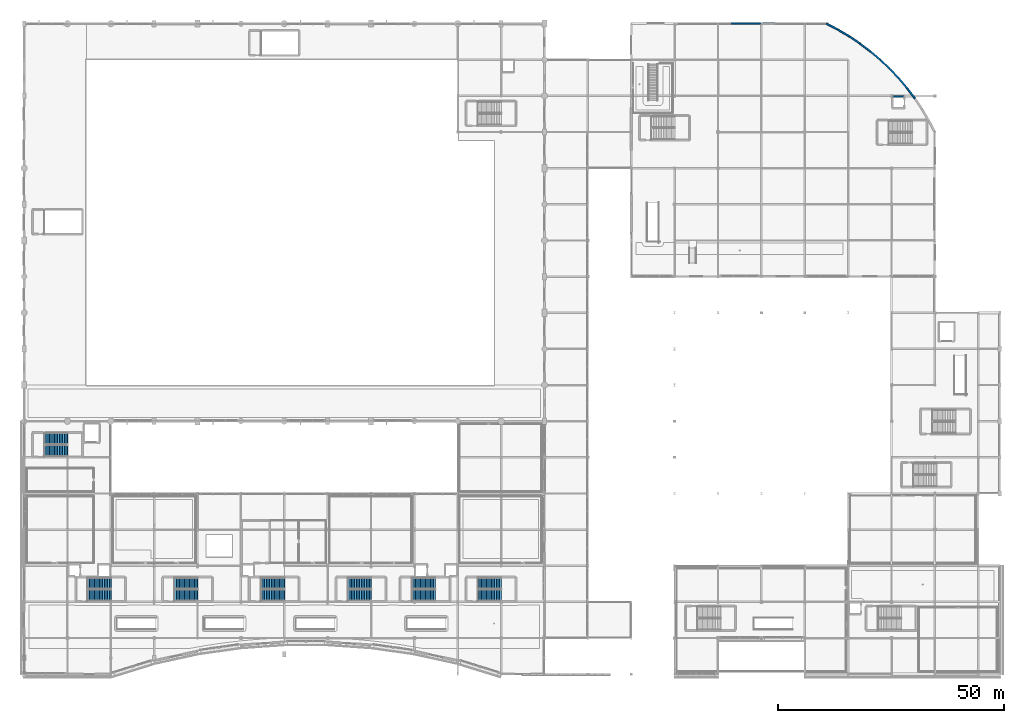
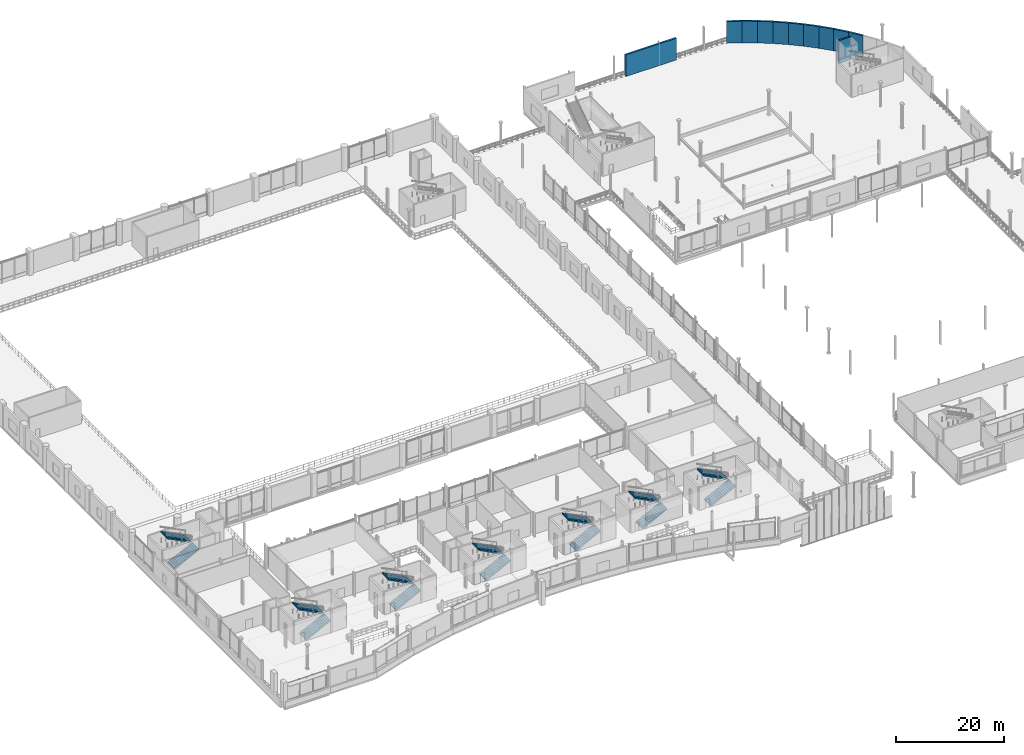
# One storey, part 87 of 129: 14 stair flights, 11 walls, 7 elements without a shape of their own.
"""IFC4 building model written with IfcOpenShell, lengths in metres."""

from ifc_helpers import new_model, si_unit, direction, frame, frame_2d, origin, place, context, subcontext, project, spatial, polyline, rectangle, outline, extrude, material, layer, layer_set, type_object, element, aggregate, save


model = new_model("IFC4")

# Units and contexts
model_context = context("Model", 3, precision=1e-05, world=origin(), true_north=direction((0.0, 1.0)))
body_context = subcontext(model_context, "Body", "Model", "MODEL_VIEW")
ifc_project = project(units=[si_unit("LENGTHUNIT", "METRE"), si_unit("AREAUNIT", "SQUARE_METRE"), si_unit("VOLUMEUNIT", "CUBIC_METRE"), si_unit("PLANEANGLEUNIT", "RADIAN"), si_unit("MASSUNIT", "GRAM", prefix="KILO")], contexts=[model_context])

# Site, building, storey
site_placement = place(None, origin())
site = spatial("IfcSite", under=ifc_project, at=site_placement, CompositionType="ELEMENT")
building_placement = place(site_placement, origin())
building = spatial("IfcBuilding", under=site, at=building_placement, Name="Danafjord Basin Convention Centre", CompositionType="ELEMENT")
storey_placement = place(building_placement, frame((0.0, 0.0, 6.0)))
storey = spatial("IfcBuildingStorey", under=building, at=storey_placement, Name="L01", CompositionType="ELEMENT", Elevation=6.0)

# Walls
ifc_material_1 = material(Name="Concrete C40/50", Category="concrete")
ifc_layer_1 = layer(ifc_material_1, 0.300048828125)
ifc_layer_set_1 = layer_set([ifc_layer_1], Name="Concrete C40/50")
wall_type_1 = type_object("IfcWallType", Name="WALL-CW-CORE300", PredefinedType="SHEAR", material=ifc_layer_set_1)
wall_1_placement = place(storey_placement, frame((194.800048828125, 127.89990234375, 0.0), z_axis=(0.0, 0.0, 1.0), x_axis=(-1.0, 0.0, 0.0)))
element("IfcWall", 1, at=wall_1_placement, inside=storey, type_object=wall_type_1, Name="Lift LF-P05 shaft shear wall", PredefinedType="SHEAR", context=body_context, shape_type="SweptSolid", body=[
    extrude(rectangle(XDim=2.60009765625, YDim=0.300048828125, at=frame_2d((1.300048828125, 0.0))), origin(), (0.0, 0.0, 1.0), 5.169921875),
])
ifc_material_2 = material(Name="Precast concrete C45/55", Category="concrete")
ifc_layer_2 = layer(ifc_material_2, 0.3798828125)
ifc_layer_set_2 = layer_set([ifc_layer_2], Name="Precast concrete C45/55")
wall_type_2 = type_object("IfcWallType", Name="WALL-EW-PC380", PredefinedType="SOLIDWALL", material=ifc_layer_set_2)
wall_2_placement = place(storey_placement, frame((197.18994140625, 127.423095703125, 0.0), z_axis=(0.0, 0.0, 1.0), x_axis=(-0.602763527755, 0.797919876685, 0.0)))
element("IfcWall", 2, at=wall_2_placement, inside=storey, type_object=wall_type_2, Name="L01 plenary drum precast facet wall", PredefinedType="SOLIDWALL", context=body_context, shape_type="SweptSolid", body=[
    extrude(rectangle(XDim=2.8798828125, YDim=0.3798828125, at=frame_2d((1.43994140625, 0.0))), origin(), (0.0, 0.0, 1.0), 4.89990234375),
])
wall_3_placement = place(storey_placement, frame((195.4541015625, 129.720947265625, 0.0), z_axis=(0.0, 0.0, 1.0), x_axis=(-0.645858681217, 0.763456982349, 0.0)))
element("IfcWall", 3, at=wall_3_placement, inside=storey, type_object=wall_type_2, Name="L01 plenary drum precast facet wall", PredefinedType="SOLIDWALL", context=body_context, shape_type="SweptSolid", body=[
    extrude(rectangle(XDim=2.881591796875, YDim=0.3798828125, at=frame_2d((1.44091796875, 0.0))), origin(), (0.0, 0.0, 1.0), 4.89990234375),
])
for number, where, z_axis, x_axis, name in (
    (4, (193.593017578125, 131.9208984375, 0.0), (0.0, 0.0, 1.0), (-0.687387219995, 0.72629113294, 0.0), "L01 plenary drum precast facet wall"),
    (5, (191.613037109375, 134.012939453125, 0.0), (0.0, 0.0, 1.0), (-0.72629113294, 0.687387219995, 0.0), "L01 plenary drum precast facet wall"),
):
    element("IfcWall", number, at=place(storey_placement, frame(where, z_axis=z_axis, x_axis=x_axis)), inside=storey, type_object=wall_type_2, Name=name, PredefinedType="SOLIDWALL", context=body_context, shape_type="SweptSolid", body=[
        extrude(rectangle(XDim=2.88037109375, YDim=0.3798828125, at=frame_2d((1.440185546875, 0.0))), origin(), (0.0, 0.0, 1.0), 4.89990234375),
    ])
wall_4_placement = place(storey_placement, frame((189.52099609375, 135.992919921875, 0.0), z_axis=(0.0, 0.0, 1.0), x_axis=(-0.763456982349, 0.645858681217, 0.0)))
element("IfcWall", 6, at=wall_4_placement, inside=storey, type_object=wall_type_2, Name="L01 plenary drum precast facet wall", PredefinedType="SOLIDWALL", context=body_context, shape_type="SweptSolid", body=[
    extrude(rectangle(XDim=2.881591796875, YDim=0.3798828125, at=frame_2d((1.44091796875, 0.0))), origin(), (0.0, 0.0, 1.0), 4.89990234375),
])
wall_5_placement = place(storey_placement, frame((187.321044921875, 137.85400390625, 0.0), z_axis=(0.0, 0.0, 1.0), x_axis=(-0.797909905191, 0.602776727485, 0.0)))
element("IfcWall", 7, at=wall_5_placement, inside=storey, type_object=wall_type_2, Name="L01 plenary drum precast facet wall", PredefinedType="SOLIDWALL", context=body_context, shape_type="SweptSolid", body=[
    extrude(rectangle(XDim=2.880126953125, YDim=0.3798828125, at=frame_2d((1.43994140625, 0.0))), origin(), (0.0, 0.0, 1.0), 4.89990234375),
])
wall_6_placement = place(storey_placement, frame((185.02294921875, 139.590087890625, 0.0), z_axis=(0.0, 0.0, 1.0), x_axis=(-0.830063694442, 0.557668596184, 0.0)))
element("IfcWall", 8, at=wall_6_placement, inside=storey, type_object=wall_type_2, Name="L01 plenary drum precast facet wall", PredefinedType="SOLIDWALL", context=body_context, shape_type="SweptSolid", body=[
    extrude(rectangle(XDim=2.881591796875, YDim=0.3798828125, at=frame_2d((1.44091796875, 0.0))), origin(), (0.0, 0.0, 1.0), 4.89990234375),
])
wall_7_placement = place(storey_placement, frame((182.631103515625, 141.197021484375, 0.0), z_axis=(0.0, 0.0, 1.0), x_axis=(-0.859824515536, 0.510589661552, 0.0)))
element("IfcWall", 9, at=wall_7_placement, inside=storey, type_object=wall_type_2, Name="L01 plenary drum precast facet wall", PredefinedType="SOLIDWALL", context=body_context, shape_type="SweptSolid", body=[
    extrude(rectangle(XDim=2.880859375, YDim=0.3798828125, at=frame_2d((1.4404296875, 0.0))), origin(), (0.0, 0.0, 1.0), 4.89990234375),
])
wall_8_placement = place(storey_placement, frame((180.154052734375, 142.66796875, 0.0), z_axis=(0.0, 0.0, 1.0), x_axis=(-0.886651333465, 0.462438550367, 0.0)))
element("IfcWall", 10, at=wall_8_placement, inside=storey, type_object=wall_type_2, Name="L01 plenary drum precast facet wall", PredefinedType="SOLIDWALL", context=body_context, shape_type="SweptSolid", body=[
    extrude(rectangle(XDim=2.88037109375, YDim=0.3798828125, at=frame_2d((1.440185546875, 0.0))), origin(), (0.0, 0.0, 1.0), 4.89990234375),
])
wall_9_placement = place(storey_placement, frame((166.800048828125, 144.0, 0.0), z_axis=(0.0, 0.0, 1.0), x_axis=(-1.0, 0.0, 0.0)))
element("IfcWall", 11, at=wall_9_placement, inside=storey, type_object=wall_type_2, Name="L01 plenary drum precast facet wall", PredefinedType="SOLIDWALL", context=body_context, shape_type="SweptSolid", body=[
    extrude(rectangle(XDim=10.800048828125, YDim=0.3798828125, at=frame_2d((5.39990234375, 0.0))), origin(), (0.0, 0.0, 1.0), 4.89990234375),
])

# Stair, stair flights
stair_type = type_object("IfcStairType", Name="STAIR-STR-C01", PredefinedType="TWO_STRAIGHT_RUN_STAIR", material=ifc_material_1)
stair_1_placement = place(storey_placement, origin())
stair_1 = element("IfcStair", 12, at=stair_1_placement, inside=storey, type_object=stair_type, Name="L01 West Harbour Core Stair 1", PredefinedType="HALF_TURN_STAIR")
ifc_material_3 = material(Name="Precast concrete C40/50", Category="concrete")
stair_flight_type = type_object("IfcStairFlightType", Name="SFLT-STD", PredefinedType="STRAIGHT", material=ifc_material_3)
stair_flight_1_placement = place(storey_placement, frame((14.1298828125, 17.4599609375, 0.0), z_axis=(0.0, 0.0, 1.0), x_axis=(1.0, 0.0, 0.0)))
stair_flight_1 = element("IfcStairFlight", 13, at=stair_flight_1_placement, type_object=stair_flight_type, Name="ST-01 flight 1", NumberOfRisers=15, NumberOfTreads=14, PredefinedType="STRAIGHT", RiserHeight=0.18, TreadLength=0.365, context=body_context, shape_type="SweptSolid", body=[
    extrude(outline(polyline([(-0.06494140625, -0.14990234375), (-0.06494140625, -0.00390625), (0.0, -0.00390625), (0.0, 0.179931640625), (0.364990234375, 0.179931640625), (0.364990234375, 0.360107421875), (0.72998046875, 0.360107421875), (0.72998046875, 0.5400390625), (1.094970703125, 0.5400390625), (1.094970703125, 0.719970703125), (1.4599609375, 0.719970703125), (1.4599609375, 0.89990234375), (1.824951171875, 0.89990234375), (1.824951171875, 1.080078125), (2.18994140625, 1.080078125), (2.18994140625, 1.260009765625), (2.554931640625, 1.260009765625), (2.554931640625, 1.43994140625), (2.919921875, 1.43994140625), (2.919921875, 1.6201171875), (3.284912109375, 1.6201171875), (3.284912109375, 1.800048828125), (3.64990234375, 1.800048828125), (3.64990234375, 1.97998046875), (4.014892578125, 1.97998046875), (4.014892578125, 2.159912109375), (4.3798828125, 2.159912109375), (4.3798828125, 2.340087890625), (4.7451171875, 2.340087890625), (4.7451171875, 2.52001953125), (5.110107421875, 2.52001953125), (5.110107421875, 2.699951171875), (5.175048828125, 2.696044921875), (5.175048828125, 2.352783203125), (0.3388671875, -0.14990234375), (-0.06494140625, -0.14990234375)])), frame((0.0, 1.25, 0.0), z_axis=(0.0, -1.0, 0.0), x_axis=(1.0, 0.0, 0.0)), (0.0, 0.0, 1.0), 2.5),
])
stair_flight_2_placement = place(storey_placement, frame((19.239990234375, 20.10009765625, 2.699951171875), z_axis=(0.0, 0.0, 1.0), x_axis=(-1.0, 0.0, 0.0)))
stair_flight_2 = element("IfcStairFlight", 14, at=stair_flight_2_placement, type_object=stair_flight_type, Name="ST-01 flight 2", NumberOfRisers=15, NumberOfTreads=14, PredefinedType="STRAIGHT", RiserHeight=0.18, TreadLength=0.365, context=body_context, shape_type="SweptSolid", body=[
    extrude(outline(polyline([(-0.06494140625, -0.14990234375), (-0.06494140625, -0.00390625), (0.0, -0.00390625), (0.0, 0.179931640625), (0.364990234375, 0.179931640625), (0.364990234375, 0.360107421875), (0.72998046875, 0.360107421875), (0.72998046875, 0.5400390625), (1.094970703125, 0.5400390625), (1.094970703125, 0.719970703125), (1.4599609375, 0.719970703125), (1.4599609375, 0.89990234375), (1.824951171875, 0.89990234375), (1.824951171875, 1.080078125), (2.18994140625, 1.080078125), (2.18994140625, 1.260009765625), (2.554931640625, 1.260009765625), (2.554931640625, 1.43994140625), (2.919921875, 1.43994140625), (2.919921875, 1.6201171875), (3.284912109375, 1.6201171875), (3.284912109375, 1.800048828125), (3.64990234375, 1.800048828125), (3.64990234375, 1.97998046875), (4.014892578125, 1.97998046875), (4.014892578125, 2.159912109375), (4.3798828125, 2.159912109375), (4.3798828125, 2.340087890625), (4.7451171875, 2.340087890625), (4.7451171875, 2.52001953125), (5.110107421875, 2.52001953125), (5.110107421875, 2.699951171875), (5.175048828125, 2.696044921875), (5.175048828125, 2.352783203125), (0.3388671875, -0.14990234375), (-0.06494140625, -0.14990234375)])), frame((0.0, 1.25, 0.0), z_axis=(0.0, -1.0, 0.0), x_axis=(1.0, 0.0, 0.0)), (0.0, 0.0, 1.0), 2.5),
])
aggregate(stair_1, [stair_flight_1, stair_flight_2])

stair_2_placement = place(storey_placement, origin())
stair_2 = element("IfcStair", 15, at=stair_2_placement, inside=storey, type_object=stair_type, Name="L01 Central Harbour Core Stair 1", PredefinedType="HALF_TURN_STAIR")
stair_flight_3_placement = place(storey_placement, frame((85.929931640625, 17.4599609375, 0.0), z_axis=(0.0, 0.0, 1.0), x_axis=(1.0, 0.0, 0.0)))
stair_flight_3 = element("IfcStairFlight", 16, at=stair_flight_3_placement, type_object=stair_flight_type, Name="ST-03 flight 1", NumberOfRisers=15, NumberOfTreads=14, PredefinedType="STRAIGHT", RiserHeight=0.18, TreadLength=0.365, context=body_context, shape_type="SweptSolid", body=[
    extrude(outline(polyline([(-0.06494140625, -0.14990234375), (-0.06494140625, -0.00390625), (0.0, -0.00390625), (0.0, 0.179931640625), (0.364990234375, 0.179931640625), (0.364990234375, 0.360107421875), (0.72998046875, 0.360107421875), (0.72998046875, 0.5400390625), (1.094970703125, 0.5400390625), (1.094970703125, 0.719970703125), (1.4599609375, 0.719970703125), (1.4599609375, 0.89990234375), (1.824951171875, 0.89990234375), (1.824951171875, 1.080078125), (2.18994140625, 1.080078125), (2.18994140625, 1.260009765625), (2.554931640625, 1.260009765625), (2.554931640625, 1.43994140625), (2.919921875, 1.43994140625), (2.919921875, 1.6201171875), (3.284912109375, 1.6201171875), (3.284912109375, 1.800048828125), (3.64990234375, 1.800048828125), (3.64990234375, 1.97998046875), (4.014892578125, 1.97998046875), (4.014892578125, 2.159912109375), (4.3798828125, 2.159912109375), (4.3798828125, 2.340087890625), (4.7451171875, 2.340087890625), (4.7451171875, 2.52001953125), (5.110107421875, 2.52001953125), (5.110107421875, 2.699951171875), (5.175048828125, 2.696044921875), (5.175048828125, 2.352783203125), (0.3388671875, -0.14990234375), (-0.06494140625, -0.14990234375)])), frame((0.0, 1.25, 0.0), z_axis=(0.0, -1.0, 0.0), x_axis=(1.0, 0.0, 0.0)), (0.0, 0.0, 1.0), 2.5),
])
stair_flight_4_placement = place(storey_placement, frame((91.0400390625, 20.10009765625, 2.699951171875), z_axis=(0.0, 0.0, 1.0), x_axis=(-1.0, 0.0, 0.0)))
stair_flight_4 = element("IfcStairFlight", 17, at=stair_flight_4_placement, type_object=stair_flight_type, Name="ST-03 flight 2", NumberOfRisers=15, NumberOfTreads=14, PredefinedType="STRAIGHT", RiserHeight=0.18, TreadLength=0.365, context=body_context, shape_type="SweptSolid", body=[
    extrude(outline(polyline([(-0.06494140625, -0.14990234375), (-0.06494140625, -0.00390625), (0.0, -0.00390625), (0.0, 0.179931640625), (0.364990234375, 0.179931640625), (0.364990234375, 0.360107421875), (0.72998046875, 0.360107421875), (0.72998046875, 0.5400390625), (1.094970703125, 0.5400390625), (1.094970703125, 0.719970703125), (1.4599609375, 0.719970703125), (1.4599609375, 0.89990234375), (1.824951171875, 0.89990234375), (1.824951171875, 1.080078125), (2.18994140625, 1.080078125), (2.18994140625, 1.260009765625), (2.554931640625, 1.260009765625), (2.554931640625, 1.43994140625), (2.919921875, 1.43994140625), (2.919921875, 1.6201171875), (3.284912109375, 1.6201171875), (3.284912109375, 1.800048828125), (3.64990234375, 1.800048828125), (3.64990234375, 1.97998046875), (4.014892578125, 1.97998046875), (4.014892578125, 2.159912109375), (4.3798828125, 2.159912109375), (4.3798828125, 2.340087890625), (4.7451171875, 2.340087890625), (4.7451171875, 2.52001953125), (5.110107421875, 2.52001953125), (5.110107421875, 2.699951171875), (5.175048828125, 2.696044921875), (5.175048828125, 2.352783203125), (0.3388671875, -0.14990234375), (-0.06494140625, -0.14990234375)])), frame((0.0, 1.25, 0.0), z_axis=(0.0, -1.0, 0.0), x_axis=(1.0, 0.0, 0.0)), (0.0, 0.0, 1.0), 2.5),
])
aggregate(stair_2, [stair_flight_3, stair_flight_4])

stair_3_placement = place(storey_placement, origin())
stair_3 = element("IfcStair", 18, at=stair_3_placement, inside=storey, type_object=stair_type, Name="L01 Mid-Arc Meeting Core Stair 1", PredefinedType="HALF_TURN_STAIR")
stair_flight_5_placement = place(storey_placement, frame((52.530029296875, 17.4599609375, 0.0), z_axis=(0.0, 0.0, 1.0), x_axis=(1.0, 0.0, 0.0)))
stair_flight_5 = element("IfcStairFlight", 19, at=stair_flight_5_placement, type_object=stair_flight_type, Name="ST-05 flight 1", NumberOfRisers=15, NumberOfTreads=14, PredefinedType="STRAIGHT", RiserHeight=0.18, TreadLength=0.365, context=body_context, shape_type="SweptSolid", body=[
    extrude(outline(polyline([(-0.06494140625, -0.14990234375), (-0.06494140625, -0.00390625), (0.0, -0.00390625), (0.0, 0.179931640625), (0.364990234375, 0.179931640625), (0.364990234375, 0.360107421875), (0.72998046875, 0.360107421875), (0.72998046875, 0.5400390625), (1.094970703125, 0.5400390625), (1.094970703125, 0.719970703125), (1.4599609375, 0.719970703125), (1.4599609375, 0.89990234375), (1.824951171875, 0.89990234375), (1.824951171875, 1.080078125), (2.18994140625, 1.080078125), (2.18994140625, 1.260009765625), (2.554931640625, 1.260009765625), (2.554931640625, 1.43994140625), (2.919921875, 1.43994140625), (2.919921875, 1.6201171875), (3.284912109375, 1.6201171875), (3.284912109375, 1.800048828125), (3.64990234375, 1.800048828125), (3.64990234375, 1.97998046875), (4.014892578125, 1.97998046875), (4.014892578125, 2.159912109375), (4.3798828125, 2.159912109375), (4.3798828125, 2.340087890625), (4.7451171875, 2.340087890625), (4.7451171875, 2.52001953125), (5.110107421875, 2.52001953125), (5.110107421875, 2.699951171875), (5.175048828125, 2.696044921875), (5.175048828125, 2.352783203125), (0.3388671875, -0.14990234375), (-0.06494140625, -0.14990234375)])), frame((0.0, 1.25, 0.0), z_axis=(0.0, -1.0, 0.0), x_axis=(1.0, 0.0, 0.0)), (0.0, 0.0, 1.0), 2.5),
])
stair_flight_6_placement = place(storey_placement, frame((57.639892578125, 20.10009765625, 2.699951171875), z_axis=(0.0, 0.0, 1.0), x_axis=(-1.0, 0.0, 0.0)))
stair_flight_6 = element("IfcStairFlight", 20, at=stair_flight_6_placement, type_object=stair_flight_type, Name="ST-05 flight 2", NumberOfRisers=15, NumberOfTreads=14, PredefinedType="STRAIGHT", RiserHeight=0.18, TreadLength=0.365, context=body_context, shape_type="SweptSolid", body=[
    extrude(outline(polyline([(-0.06494140625, -0.14990234375), (-0.06494140625, -0.00390625), (0.0, -0.00390625), (0.0, 0.179931640625), (0.364990234375, 0.179931640625), (0.364990234375, 0.360107421875), (0.72998046875, 0.360107421875), (0.72998046875, 0.5400390625), (1.094970703125, 0.5400390625), (1.094970703125, 0.719970703125), (1.4599609375, 0.719970703125), (1.4599609375, 0.89990234375), (1.824951171875, 0.89990234375), (1.824951171875, 1.080078125), (2.18994140625, 1.080078125), (2.18994140625, 1.260009765625), (2.554931640625, 1.260009765625), (2.554931640625, 1.43994140625), (2.919921875, 1.43994140625), (2.919921875, 1.6201171875), (3.284912109375, 1.6201171875), (3.284912109375, 1.800048828125), (3.64990234375, 1.800048828125), (3.64990234375, 1.97998046875), (4.014892578125, 1.97998046875), (4.014892578125, 2.159912109375), (4.3798828125, 2.159912109375), (4.3798828125, 2.340087890625), (4.7451171875, 2.340087890625), (4.7451171875, 2.52001953125), (5.110107421875, 2.52001953125), (5.110107421875, 2.699951171875), (5.175048828125, 2.696044921875), (5.175048828125, 2.352783203125), (0.3388671875, -0.14990234375), (-0.06494140625, -0.14990234375)])), frame((0.0, 1.25, 0.0), z_axis=(0.0, -1.0, 0.0), x_axis=(1.0, 0.0, 0.0)), (0.0, 0.0, 1.0), 2.5),
])
aggregate(stair_3, [stair_flight_5, stair_flight_6])

stair_4_placement = place(storey_placement, origin())
stair_4 = element("IfcStair", 21, at=stair_4_placement, inside=storey, type_object=stair_type, Name="L01 West Exhibition Core Stair 1", PredefinedType="HALF_TURN_STAIR")
stair_flight_7_placement = place(storey_placement, frame((4.530029296875, 49.4599609375, 0.0), z_axis=(0.0, 0.0, 1.0), x_axis=(1.0, 0.0, 0.0)))
stair_flight_7 = element("IfcStairFlight", 22, at=stair_flight_7_placement, type_object=stair_flight_type, Name="ST-07 flight 1", NumberOfRisers=15, NumberOfTreads=14, PredefinedType="STRAIGHT", RiserHeight=0.18, TreadLength=0.365, context=body_context, shape_type="SweptSolid", body=[
    extrude(outline(polyline([(-0.06494140625, -0.14990234375), (-0.06494140625, -0.00390625), (0.0, -0.00390625), (0.0, 0.179931640625), (0.364990234375, 0.179931640625), (0.364990234375, 0.360107421875), (0.72998046875, 0.360107421875), (0.72998046875, 0.5400390625), (1.094970703125, 0.5400390625), (1.094970703125, 0.719970703125), (1.4599609375, 0.719970703125), (1.4599609375, 0.89990234375), (1.824951171875, 0.89990234375), (1.824951171875, 1.080078125), (2.18994140625, 1.080078125), (2.18994140625, 1.260009765625), (2.554931640625, 1.260009765625), (2.554931640625, 1.43994140625), (2.919921875, 1.43994140625), (2.919921875, 1.6201171875), (3.284912109375, 1.6201171875), (3.284912109375, 1.800048828125), (3.64990234375, 1.800048828125), (3.64990234375, 1.97998046875), (4.014892578125, 1.97998046875), (4.014892578125, 2.159912109375), (4.3798828125, 2.159912109375), (4.3798828125, 2.340087890625), (4.7451171875, 2.340087890625), (4.7451171875, 2.52001953125), (5.110107421875, 2.52001953125), (5.110107421875, 2.699951171875), (5.175048828125, 2.696044921875), (5.175048828125, 2.352783203125), (0.3388671875, -0.14990234375), (-0.06494140625, -0.14990234375)])), frame((0.0, 1.25, 0.0), z_axis=(0.0, -1.0, 0.0), x_axis=(1.0, 0.0, 0.0)), (0.0, 0.0, 1.0), 2.5),
])
stair_flight_8_placement = place(storey_placement, frame((9.639892578125, 52.10009765625, 2.699951171875), z_axis=(0.0, 0.0, 1.0), x_axis=(-1.0, 0.0, 0.0)))
stair_flight_8 = element("IfcStairFlight", 23, at=stair_flight_8_placement, type_object=stair_flight_type, Name="ST-07 flight 2", NumberOfRisers=15, NumberOfTreads=14, PredefinedType="STRAIGHT", RiserHeight=0.18, TreadLength=0.365, context=body_context, shape_type="SweptSolid", body=[
    extrude(outline(polyline([(-0.06494140625, -0.14990234375), (-0.06494140625, -0.00390625), (0.0, -0.00390625), (0.0, 0.179931640625), (0.364990234375, 0.179931640625), (0.364990234375, 0.360107421875), (0.72998046875, 0.360107421875), (0.72998046875, 0.5400390625), (1.094970703125, 0.5400390625), (1.094970703125, 0.719970703125), (1.4599609375, 0.719970703125), (1.4599609375, 0.89990234375), (1.824951171875, 0.89990234375), (1.824951171875, 1.080078125), (2.18994140625, 1.080078125), (2.18994140625, 1.260009765625), (2.554931640625, 1.260009765625), (2.554931640625, 1.43994140625), (2.919921875, 1.43994140625), (2.919921875, 1.6201171875), (3.284912109375, 1.6201171875), (3.284912109375, 1.800048828125), (3.64990234375, 1.800048828125), (3.64990234375, 1.97998046875), (4.014892578125, 1.97998046875), (4.014892578125, 2.159912109375), (4.3798828125, 2.159912109375), (4.3798828125, 2.340087890625), (4.7451171875, 2.340087890625), (4.7451171875, 2.52001953125), (5.110107421875, 2.52001953125), (5.110107421875, 2.699951171875), (5.175048828125, 2.696044921875), (5.175048828125, 2.352783203125), (0.3388671875, -0.14990234375), (-0.06494140625, -0.14990234375)])), frame((0.0, 1.25, 0.0), z_axis=(0.0, -1.0, 0.0), x_axis=(1.0, 0.0, 0.0)), (0.0, 0.0, 1.0), 2.5),
])
aggregate(stair_4, [stair_flight_7, stair_flight_8])

stair_5_placement = place(storey_placement, origin())
stair_5 = element("IfcStair", 24, at=stair_5_placement, inside=storey, type_object=stair_type, Name="L01 West Harbour Escape Stair 2", PredefinedType="HALF_TURN_STAIR")
stair_flight_9_placement = place(storey_placement, frame((33.330078125, 17.4599609375, 0.0), z_axis=(0.0, 0.0, 1.0), x_axis=(1.0, 0.0, 0.0)))
stair_flight_9 = element("IfcStairFlight", 25, at=stair_flight_9_placement, type_object=stair_flight_type, Name="ST-02 flight 1", NumberOfRisers=15, NumberOfTreads=14, PredefinedType="STRAIGHT", RiserHeight=0.18, TreadLength=0.365, context=body_context, shape_type="SweptSolid", body=[
    extrude(outline(polyline([(-0.06494140625, -0.14990234375), (-0.06494140625, -0.00390625), (0.0, -0.00390625), (0.0, 0.179931640625), (0.364990234375, 0.179931640625), (0.364990234375, 0.360107421875), (0.72998046875, 0.360107421875), (0.72998046875, 0.5400390625), (1.094970703125, 0.5400390625), (1.094970703125, 0.719970703125), (1.4599609375, 0.719970703125), (1.4599609375, 0.89990234375), (1.824951171875, 0.89990234375), (1.824951171875, 1.080078125), (2.18994140625, 1.080078125), (2.18994140625, 1.260009765625), (2.554931640625, 1.260009765625), (2.554931640625, 1.43994140625), (2.919921875, 1.43994140625), (2.919921875, 1.6201171875), (3.284912109375, 1.6201171875), (3.284912109375, 1.800048828125), (3.64990234375, 1.800048828125), (3.64990234375, 1.97998046875), (4.014892578125, 1.97998046875), (4.014892578125, 2.159912109375), (4.3798828125, 2.159912109375), (4.3798828125, 2.340087890625), (4.7451171875, 2.340087890625), (4.7451171875, 2.52001953125), (5.110107421875, 2.52001953125), (5.110107421875, 2.699951171875), (5.175048828125, 2.696044921875), (5.175048828125, 2.352783203125), (0.3388671875, -0.14990234375), (-0.06494140625, -0.14990234375)])), frame((0.0, 1.25, 0.0), z_axis=(0.0, -1.0, 0.0), x_axis=(1.0, 0.0, 0.0)), (0.0, 0.0, 1.0), 2.5),
])
stair_flight_10_placement = place(storey_placement, frame((38.43994140625, 20.10009765625, 2.699951171875), z_axis=(0.0, 0.0, 1.0), x_axis=(-1.0, 0.0, 0.0)))
stair_flight_10 = element("IfcStairFlight", 26, at=stair_flight_10_placement, type_object=stair_flight_type, Name="ST-02 flight 2", NumberOfRisers=15, NumberOfTreads=14, PredefinedType="STRAIGHT", RiserHeight=0.18, TreadLength=0.365, context=body_context, shape_type="SweptSolid", body=[
    extrude(outline(polyline([(-0.06494140625, -0.14990234375), (-0.06494140625, -0.00390625), (0.0, -0.00390625), (0.0, 0.179931640625), (0.364990234375, 0.179931640625), (0.364990234375, 0.360107421875), (0.72998046875, 0.360107421875), (0.72998046875, 0.5400390625), (1.094970703125, 0.5400390625), (1.094970703125, 0.719970703125), (1.4599609375, 0.719970703125), (1.4599609375, 0.89990234375), (1.824951171875, 0.89990234375), (1.824951171875, 1.080078125), (2.18994140625, 1.080078125), (2.18994140625, 1.260009765625), (2.554931640625, 1.260009765625), (2.554931640625, 1.43994140625), (2.919921875, 1.43994140625), (2.919921875, 1.6201171875), (3.284912109375, 1.6201171875), (3.284912109375, 1.800048828125), (3.64990234375, 1.800048828125), (3.64990234375, 1.97998046875), (4.014892578125, 1.97998046875), (4.014892578125, 2.159912109375), (4.3798828125, 2.159912109375), (4.3798828125, 2.340087890625), (4.7451171875, 2.340087890625), (4.7451171875, 2.52001953125), (5.110107421875, 2.52001953125), (5.110107421875, 2.699951171875), (5.175048828125, 2.696044921875), (5.175048828125, 2.352783203125), (0.3388671875, -0.14990234375), (-0.06494140625, -0.14990234375)])), frame((0.0, 1.25, 0.0), z_axis=(0.0, -1.0, 0.0), x_axis=(1.0, 0.0, 0.0)), (0.0, 0.0, 1.0), 2.5),
])
aggregate(stair_5, [stair_flight_9, stair_flight_10])

stair_6_placement = place(storey_placement, origin())
stair_6 = element("IfcStair", 27, at=stair_6_placement, inside=storey, type_object=stair_type, Name="L01 East Harbour Escape Stair 2", PredefinedType="HALF_TURN_STAIR")
stair_flight_11_placement = place(storey_placement, frame((100.530029296875, 17.4599609375, 0.0), z_axis=(0.0, 0.0, 1.0), x_axis=(1.0, 0.0, 0.0)))
stair_flight_11 = element("IfcStairFlight", 28, at=stair_flight_11_placement, type_object=stair_flight_type, Name="ST-04 flight 1", NumberOfRisers=15, NumberOfTreads=14, PredefinedType="STRAIGHT", RiserHeight=0.18, TreadLength=0.365, context=body_context, shape_type="SweptSolid", body=[
    extrude(outline(polyline([(-0.06494140625, -0.14990234375), (-0.06494140625, -0.00390625), (0.0, -0.00390625), (0.0, 0.179931640625), (0.364990234375, 0.179931640625), (0.364990234375, 0.360107421875), (0.72998046875, 0.360107421875), (0.72998046875, 0.5400390625), (1.094970703125, 0.5400390625), (1.094970703125, 0.719970703125), (1.4599609375, 0.719970703125), (1.4599609375, 0.89990234375), (1.824951171875, 0.89990234375), (1.824951171875, 1.080078125), (2.18994140625, 1.080078125), (2.18994140625, 1.260009765625), (2.554931640625, 1.260009765625), (2.554931640625, 1.43994140625), (2.919921875, 1.43994140625), (2.919921875, 1.6201171875), (3.284912109375, 1.6201171875), (3.284912109375, 1.800048828125), (3.64990234375, 1.800048828125), (3.64990234375, 1.97998046875), (4.014892578125, 1.97998046875), (4.014892578125, 2.159912109375), (4.3798828125, 2.159912109375), (4.3798828125, 2.340087890625), (4.7451171875, 2.340087890625), (4.7451171875, 2.52001953125), (5.110107421875, 2.52001953125), (5.110107421875, 2.699951171875), (5.175048828125, 2.696044921875), (5.175048828125, 2.352783203125), (0.3388671875, -0.14990234375), (-0.06494140625, -0.14990234375)])), frame((0.0, 1.25, 0.0), z_axis=(0.0, -1.0, 0.0), x_axis=(1.0, 0.0, 0.0)), (0.0, 0.0, 1.0), 2.5),
])
stair_flight_12_placement = place(storey_placement, frame((105.639892578125, 20.10009765625, 2.699951171875), z_axis=(0.0, 0.0, 1.0), x_axis=(-1.0, 0.0, 0.0)))
stair_flight_12 = element("IfcStairFlight", 29, at=stair_flight_12_placement, type_object=stair_flight_type, Name="ST-04 flight 2", NumberOfRisers=15, NumberOfTreads=14, PredefinedType="STRAIGHT", RiserHeight=0.18, TreadLength=0.365, context=body_context, shape_type="SweptSolid", body=[
    extrude(outline(polyline([(-0.06494140625, -0.14990234375), (-0.06494140625, -0.00390625), (0.0, -0.00390625), (0.0, 0.179931640625), (0.364990234375, 0.179931640625), (0.364990234375, 0.360107421875), (0.72998046875, 0.360107421875), (0.72998046875, 0.5400390625), (1.094970703125, 0.5400390625), (1.094970703125, 0.719970703125), (1.4599609375, 0.719970703125), (1.4599609375, 0.89990234375), (1.824951171875, 0.89990234375), (1.824951171875, 1.080078125), (2.18994140625, 1.080078125), (2.18994140625, 1.260009765625), (2.554931640625, 1.260009765625), (2.554931640625, 1.43994140625), (2.919921875, 1.43994140625), (2.919921875, 1.6201171875), (3.284912109375, 1.6201171875), (3.284912109375, 1.800048828125), (3.64990234375, 1.800048828125), (3.64990234375, 1.97998046875), (4.014892578125, 1.97998046875), (4.014892578125, 2.159912109375), (4.3798828125, 2.159912109375), (4.3798828125, 2.340087890625), (4.7451171875, 2.340087890625), (4.7451171875, 2.52001953125), (5.110107421875, 2.52001953125), (5.110107421875, 2.699951171875), (5.175048828125, 2.696044921875), (5.175048828125, 2.352783203125), (0.3388671875, -0.14990234375), (-0.06494140625, -0.14990234375)])), frame((0.0, 1.25, 0.0), z_axis=(0.0, -1.0, 0.0), x_axis=(1.0, 0.0, 0.0)), (0.0, 0.0, 1.0), 2.5),
])
aggregate(stair_6, [stair_flight_11, stair_flight_12])

stair_7_placement = place(storey_placement, origin())
stair_7 = element("IfcStair", 30, at=stair_7_placement, inside=storey, type_object=stair_type, Name="L01 Mid-Arc Escape Stair 2", PredefinedType="HALF_TURN_STAIR")
stair_flight_13_placement = place(storey_placement, frame((71.72998046875, 17.4599609375, 0.0), z_axis=(0.0, 0.0, 1.0), x_axis=(1.0, 0.0, 0.0)))
stair_flight_13 = element("IfcStairFlight", 31, at=stair_flight_13_placement, type_object=stair_flight_type, Name="ST-06 flight 1", NumberOfRisers=15, NumberOfTreads=14, PredefinedType="STRAIGHT", RiserHeight=0.18, TreadLength=0.365, context=body_context, shape_type="SweptSolid", body=[
    extrude(outline(polyline([(-0.06494140625, -0.14990234375), (-0.06494140625, -0.00390625), (0.0, -0.00390625), (0.0, 0.179931640625), (0.364990234375, 0.179931640625), (0.364990234375, 0.360107421875), (0.72998046875, 0.360107421875), (0.72998046875, 0.5400390625), (1.094970703125, 0.5400390625), (1.094970703125, 0.719970703125), (1.4599609375, 0.719970703125), (1.4599609375, 0.89990234375), (1.824951171875, 0.89990234375), (1.824951171875, 1.080078125), (2.18994140625, 1.080078125), (2.18994140625, 1.260009765625), (2.554931640625, 1.260009765625), (2.554931640625, 1.43994140625), (2.919921875, 1.43994140625), (2.919921875, 1.6201171875), (3.284912109375, 1.6201171875), (3.284912109375, 1.800048828125), (3.64990234375, 1.800048828125), (3.64990234375, 1.97998046875), (4.014892578125, 1.97998046875), (4.014892578125, 2.159912109375), (4.3798828125, 2.159912109375), (4.3798828125, 2.340087890625), (4.7451171875, 2.340087890625), (4.7451171875, 2.52001953125), (5.110107421875, 2.52001953125), (5.110107421875, 2.699951171875), (5.175048828125, 2.696044921875), (5.175048828125, 2.352783203125), (0.3388671875, -0.14990234375), (-0.06494140625, -0.14990234375)])), frame((0.0, 1.25, 0.0), z_axis=(0.0, -1.0, 0.0), x_axis=(1.0, 0.0, 0.0)), (0.0, 0.0, 1.0), 2.5),
])
stair_flight_14_placement = place(storey_placement, frame((76.840087890625, 20.10009765625, 2.699951171875), z_axis=(0.0, 0.0, 1.0), x_axis=(-1.0, 0.0, 0.0)))
stair_flight_14 = element("IfcStairFlight", 32, at=stair_flight_14_placement, type_object=stair_flight_type, Name="ST-06 flight 2", NumberOfRisers=15, NumberOfTreads=14, PredefinedType="STRAIGHT", RiserHeight=0.18, TreadLength=0.365, context=body_context, shape_type="SweptSolid", body=[
    extrude(outline(polyline([(-0.06494140625, -0.14990234375), (-0.06494140625, -0.00390625), (0.0, -0.00390625), (0.0, 0.179931640625), (0.364990234375, 0.179931640625), (0.364990234375, 0.360107421875), (0.72998046875, 0.360107421875), (0.72998046875, 0.5400390625), (1.094970703125, 0.5400390625), (1.094970703125, 0.719970703125), (1.4599609375, 0.719970703125), (1.4599609375, 0.89990234375), (1.824951171875, 0.89990234375), (1.824951171875, 1.080078125), (2.18994140625, 1.080078125), (2.18994140625, 1.260009765625), (2.554931640625, 1.260009765625), (2.554931640625, 1.43994140625), (2.919921875, 1.43994140625), (2.919921875, 1.6201171875), (3.284912109375, 1.6201171875), (3.284912109375, 1.800048828125), (3.64990234375, 1.800048828125), (3.64990234375, 1.97998046875), (4.014892578125, 1.97998046875), (4.014892578125, 2.159912109375), (4.3798828125, 2.159912109375), (4.3798828125, 2.340087890625), (4.7451171875, 2.340087890625), (4.7451171875, 2.52001953125), (5.110107421875, 2.52001953125), (5.110107421875, 2.699951171875), (5.175048828125, 2.696044921875), (5.175048828125, 2.352783203125), (0.3388671875, -0.14990234375), (-0.06494140625, -0.14990234375)])), frame((0.0, 1.25, 0.0), z_axis=(0.0, -1.0, 0.0), x_axis=(1.0, 0.0, 0.0)), (0.0, 0.0, 1.0), 2.5),
])
aggregate(stair_7, [stair_flight_13, stair_flight_14])

save(model, "model.ifc")
